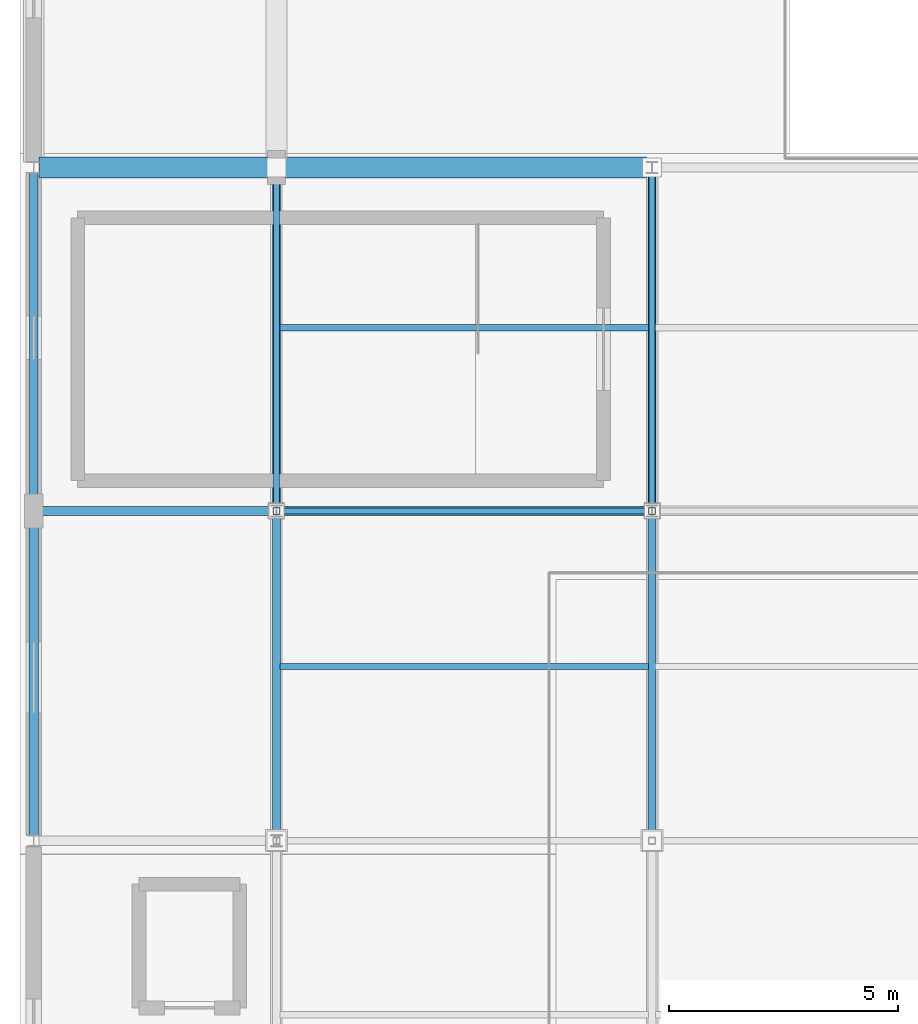
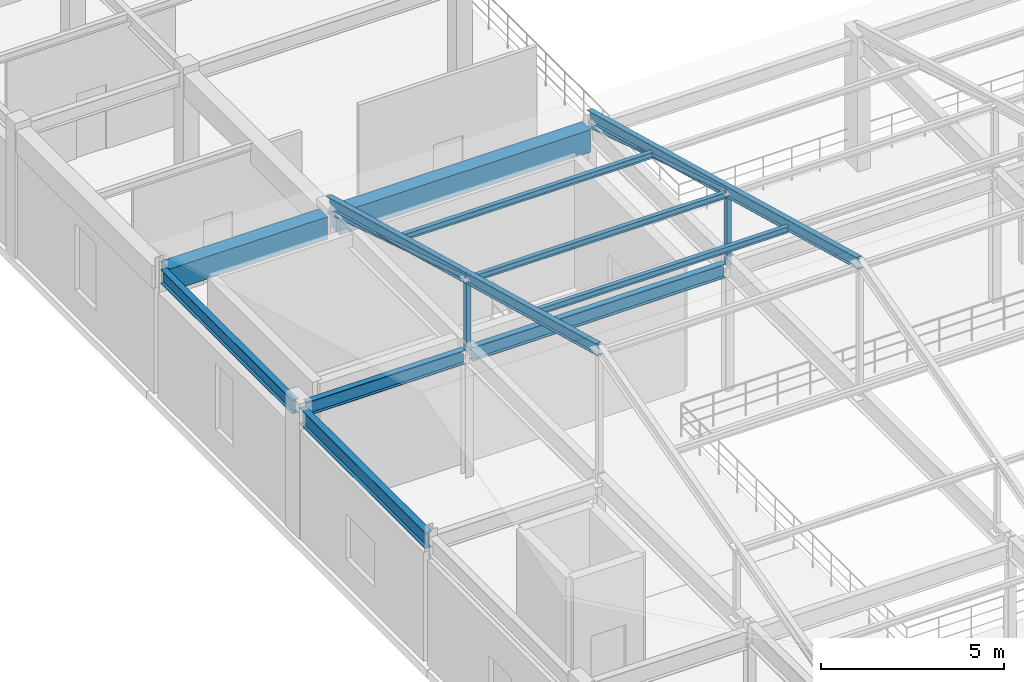
# One storey, part 32 of 112: 9 members, 6 beams.
"""IFC4 building model written with IfcOpenShell, lengths in metres."""

from ifc_helpers import new_model, si_unit, direction, frame, origin, origin_2d, place, context, subcontext, project, spatial, rectangle, hollow_rectangle, hollow_circle, i_section, extrude, material, material_profile, profile_set, type_object, element, save


model = new_model("IFC4")

# Units and contexts
model_context = context("Model", 3, precision=1e-05, world=origin(), true_north=direction((0.0, 1.0)))
body_context = subcontext(model_context, "Body", "Model", "MODEL_VIEW")
ifc_project = project(units=[si_unit("LENGTHUNIT", "METRE"), si_unit("AREAUNIT", "SQUARE_METRE"), si_unit("VOLUMEUNIT", "CUBIC_METRE"), si_unit("PLANEANGLEUNIT", "RADIAN"), si_unit("MASSUNIT", "GRAM", prefix="KILO")], contexts=[model_context])

# Site, building, storey
site_placement = place(None, origin())
site = spatial("IfcSite", under=ifc_project, at=site_placement, CompositionType="ELEMENT")
building_placement = place(site_placement, origin())
building = spatial("IfcBuilding", under=site, at=building_placement, Name="Cinderbank Siding Concert Hall", CompositionType="ELEMENT")
storey_placement = place(building_placement, frame((0.0, 0.0, 10.199951171875)))
storey = spatial("IfcBuildingStorey", under=building, at=storey_placement, Name="L03", CompositionType="ELEMENT", Elevation=10.199951171875)

# Beams
ifc_material_1 = material(Name="Reinforced concrete AS 3600 N50 (50 MPa)", Category="concrete")
ifc_material_profile_1 = material_profile(ifc_material_1, rectangle(XDim=0.449951171875, YDim=0.75, at=origin_2d()), Name="RC-BM-450x750", Category="LoadBearing")
ifc_profile_set_1 = profile_set([ifc_material_profile_1], Name="Reinforced concrete AS 3600 N50 (50 MPa)")
beam_type_1 = type_object("IfcBeamType", Name="BM-RC750 RC-BM-450x750", PredefinedType="BEAM", material=ifc_profile_set_1)
beam_1_placement = place(storey_placement, frame((7.218994140625, 35.5, 3.866943359375), z_axis=(1.0, 0.0, 0.0), x_axis=(0.0, 1.0, 0.0)))
element("IfcBeam", 1, at=beam_1_placement, inside=storey, type_object=beam_type_1, Name="L03 Beam BM-RC750 #1711", PredefinedType="BEAM", context=body_context, shape_type="SweptSolid", body=[
    extrude(rectangle(XDim=0.449951171875, YDim=0.75, at=origin_2d()), origin(), (0.0, 0.0, 1.0), 4.989013671875),
])
beam_2_placement = place(storey_placement, frame((12.592041015625, 35.5, 3.866943359375), z_axis=(1.0, 0.0, 0.0), x_axis=(0.0, 1.0, 0.0)))
element("IfcBeam", 2, at=beam_2_placement, inside=storey, type_object=beam_type_1, Name="L03 Beam BM-RC750 #1716", PredefinedType="BEAM", context=body_context, shape_type="SweptSolid", body=[
    extrude(rectangle(XDim=0.449951171875, YDim=0.75, at=origin_2d()), origin(), (0.0, 0.0, 1.0), 7.888916015625),
])
ifc_material_2 = material(Name="Structural steel AS/NZS 3679.1 Grade 350 (340 MPa)", Category="steel")
ifc_material_profile_2 = material_profile(ifc_material_2, i_section(OverallWidth=0.18994140625, OverallDepth=0.45751953125, WebThickness=0.009033203125, FlangeThickness=0.014404296875, at=origin_2d()), Name="460UB74.6", Category="LoadBearing")
ifc_profile_set_2 = profile_set([ifc_material_profile_2], Name="Structural steel AS/NZS 3679.1 Grade 350 (340 MPa)")
beam_type_2 = type_object("IfcBeamType", Name="BM-UB460 460UB74.6", PredefinedType="BEAM", material=ifc_profile_set_2)
beam_3_placement = place(storey_placement, frame((7.2919921875, 28.0, 4.013427734375), z_axis=(1.0, 0.0, 0.0), x_axis=(0.0, 1.0, 0.0)))
element("IfcBeam", 3, at=beam_3_placement, inside=storey, type_object=beam_type_2, Name="L03 Beam BM-UB460 #1709", PredefinedType="BEAM", context=body_context, shape_type="SweptSolid", body=[
    extrude(i_section(OverallWidth=0.18994140625, OverallDepth=0.45751953125, WebThickness=0.009033203125, FlangeThickness=0.014404296875, at=origin_2d()), origin(), (0.0, 0.0, 1.0), 4.989013671875),
])
beam_4_placement = place(storey_placement, frame((7.10009765625, 28.19189453125, 4.013427734375), z_axis=(0.0, 1.0, 0.0), x_axis=(-1.0, 0.0, 0.0)))
element("IfcBeam", 4, at=beam_4_placement, inside=storey, type_object=beam_type_2, Name="L03 Beam BM-UB460 #1710", PredefinedType="BEAM", context=body_context, shape_type="SweptSolid", body=[
    extrude(i_section(OverallWidth=0.18994140625, OverallDepth=0.45751953125, WebThickness=0.009033203125, FlangeThickness=0.014404296875, at=origin_2d()), origin(), (0.0, 0.0, 1.0), 7.189208984375),
])
beam_5_placement = place(storey_placement, frame((12.51904296875, 28.0, 4.013427734375), z_axis=(1.0, 0.0, 0.0), x_axis=(0.0, 1.0, 0.0)))
element("IfcBeam", 5, at=beam_5_placement, inside=storey, type_object=beam_type_2, Name="L03 Beam BM-UB460 #1715", PredefinedType="BEAM", context=body_context, shape_type="SweptSolid", body=[
    extrude(i_section(OverallWidth=0.18994140625, OverallDepth=0.45751953125, WebThickness=0.009033203125, FlangeThickness=0.014404296875, at=origin_2d()), origin(), (0.0, 0.0, 1.0), 7.9619140625),
])
ifc_material_profile_3 = material_profile(ifc_material_2, i_section(OverallWidth=0.208984375, OverallDepth=0.5283203125, WebThickness=0.009521484375, FlangeThickness=0.01318359375, at=origin_2d()), Name="530UB82.0", Category="LoadBearing")
ifc_profile_set_3 = profile_set([ifc_material_profile_3], Name="Structural steel AS/NZS 3679.1 Grade 350 (340 MPa)")
beam_type_3 = type_object("IfcBeamType", Name="BM-UB530 530UB82.0", PredefinedType="BEAM", material=ifc_profile_set_3)
beam_6_placement = place(storey_placement, frame((7.10009765625, 20.9189453125, 3.97802734375), z_axis=(0.0, 1.0, 0.0), x_axis=(-1.0, 0.0, 0.0)))
element("IfcBeam", 6, at=beam_6_placement, inside=storey, type_object=beam_type_3, Name="L03 Beam BM-UB530 #1708", PredefinedType="BEAM", context=body_context, shape_type="SweptSolid", body=[
    extrude(i_section(OverallWidth=0.208984375, OverallDepth=0.5283203125, WebThickness=0.009521484375, FlangeThickness=0.01318359375, at=origin_2d()), origin(), (0.0, 0.0, 1.0), 6.88916015625),
])

# Members
ifc_material_3 = material(Name="Structural steel hollow section AS/NZS 1163 Grade C350L0 (350 MPa)", Category="steel")
ifc_material_profile_4 = material_profile(ifc_material_3, hollow_circle(Radius=0.06982421875, WallThickness=0.00634765625, at=origin_2d()), Name="139.7x6.4CHS", Category="LoadBearing")
ifc_profile_set_4 = profile_set([ifc_material_profile_4], Name="Structural steel hollow section AS/NZS 1163 Grade C350L0 (350 MPa)")
member_type_1 = type_object("IfcMemberType", Name="BR-CHS139 139.7x6.4CHS Roof Truss", PredefinedType="BRACE", material=ifc_profile_set_4)
for number, where, z_axis, x_axis, name in (
    (7, (12.39990234375, 35.5, 4.199951171875), (0.0, -0.954249763262, 0.299010684282), (1.0, 0.0, 0.0), "L03 Diagonal Brace BR-CHS139 #V2DG-BR-CHS139-L03-2381"),
    (8, (20.60009765625, 35.5, 4.199951171875), (0.0, -0.954249763262, 0.299010684282), (1.0, 0.0, 0.0), "L03 Diagonal Brace BR-CHS139 #V2DG-BR-CHS139-L03-2388"),
):
    element("IfcMember", number, at=place(storey_placement, frame(where, z_axis=z_axis, x_axis=x_axis)), inside=storey, type_object=member_type_1, Name=name, PredefinedType="BRACE", context=body_context, shape_type="SweptSolid", body=[
        extrude(hollow_circle(Radius=0.06982421875, WallThickness=0.00634765625, at=origin_2d()), origin(), (0.0, 0.0, 1.0), 7.859619140625),
    ])
ifc_material_profile_5 = material_profile(ifc_material_3, hollow_rectangle(XDim=0.14990234375, YDim=0.14990234375, WallThickness=0.008056640625, at=origin_2d()), Name="150x150x8.0SHS", Category="LoadBearing")
ifc_profile_set_5 = profile_set([ifc_material_profile_5], Name="Structural steel hollow section AS/NZS 1163 Grade C350L0 (350 MPa)")
member_type_2 = type_object("IfcMemberType", Name="BR-SHS150 150x150x8.0SHS Roof Truss", PredefinedType="BRACE", material=ifc_profile_set_5)
for number, where, z_axis, x_axis, name in (
    (9, (12.39990234375, 28.0, 4.150146484375), (0.0, 0.0, 1.0), (1.0, 0.0, 0.0), "L03 Diagonal Brace BR-SHS150 #V2WB-BR-SHS150-L03-2379"),
    (10, (20.60009765625, 28.0, 4.150146484375), (0.0, 0.0, 1.0), (1.0, 0.0, 0.0), "L03 Diagonal Brace BR-SHS150 #V2WB-BR-SHS150-L03-2386"),
):
    element("IfcMember", number, at=place(storey_placement, frame(where, z_axis=z_axis, x_axis=x_axis)), inside=storey, type_object=member_type_2, Name=name, PredefinedType="BRACE", context=body_context, shape_type="SweptSolid", body=[
        extrude(hollow_rectangle(XDim=0.14990234375, YDim=0.14990234375, WallThickness=0.008056640625, at=origin_2d()), origin(), (0.0, 0.0, 1.0), 2.39990234375),
    ])
ifc_material_profile_6 = material_profile(ifc_material_2, i_section(OverallWidth=0.133056640625, OverallDepth=0.203125, WebThickness=0.005859375, FlangeThickness=0.0078125, at=origin_2d()), Name="200UB25.4", Category="LoadBearing")
ifc_profile_set_6 = profile_set([ifc_material_profile_6], Name="Structural steel AS/NZS 3679.1 Grade 350 (340 MPa)")
member_type_3 = type_object("IfcMemberType", Name="PR-UB200 200UB25.4 Roof Truss", PredefinedType="PURLIN", material=ifc_profile_set_6)
for number, where, z_axis, x_axis, name in (
    (11, (12.47998046875, 24.60009765625, 7.416015625), (1.0, 0.0, 0.0), (0.0, 1.0, 0.0), "L03 Roof Truss Member PR-UB200 #2414"),
    (12, (12.47998046875, 28.0, 6.490966796875), (1.0, 0.0, 0.0), (0.0, 1.0, 0.0), "L03 Roof Truss Member PR-UB200 #2415"),
    (13, (12.47998046875, 32.0, 5.40234375), (1.0, 0.0, 0.0), (0.0, 1.0, 0.0), "L03 Roof Truss Member PR-UB200 #2416"),
):
    element("IfcMember", number, at=place(storey_placement, frame(where, z_axis=z_axis, x_axis=x_axis)), inside=storey, type_object=member_type_3, Name=name, PredefinedType="PURLIN", context=body_context, shape_type="SweptSolid", body=[
        extrude(i_section(OverallWidth=0.133056640625, OverallDepth=0.203125, WebThickness=0.005859375, FlangeThickness=0.0078125, at=origin_2d()), origin(), (0.0, 0.0, 1.0), 8.0400390625),
    ])
ifc_material_profile_7 = material_profile(ifc_material_2, i_section(OverallWidth=0.172119140625, OverallDepth=0.358642578125, WebThickness=0.008056640625, FlangeThickness=0.012939453125, at=origin_2d()), Name="360UB56.7", Category="LoadBearing")
ifc_profile_set_7 = profile_set([ifc_material_profile_7], Name="Structural steel AS/NZS 3679.1 Grade 350 (340 MPa)")
member_type_4 = type_object("IfcMemberType", Name="TR-UB360 360UB56.7 Roof Truss", PredefinedType="RAFTER", material=ifc_profile_set_7)
for number, where, z_axis, x_axis, name in (
    (14, (12.39990234375, 35.5, 4.550048828125), (0.0, -0.964914918446, 0.26256275471), (1.0, 0.0, 0.0), "L03 Roof Truss Member TR-UB360 #2376"),
    (15, (20.60009765625, 35.5, 4.550048828125), (0.0, -0.964914918446, 0.26256275471), (1.0, 0.0, 0.0), "L03 Roof Truss Member TR-UB360 #2383"),
):
    element("IfcMember", number, at=place(storey_placement, frame(where, z_axis=z_axis, x_axis=x_axis)), inside=storey, type_object=member_type_4, Name=name, PredefinedType="RAFTER", context=body_context, shape_type="SweptSolid", body=[
        extrude(i_section(OverallWidth=0.172119140625, OverallDepth=0.358642578125, WebThickness=0.008056640625, FlangeThickness=0.012939453125, at=origin_2d()), origin(), (0.0, 0.0, 1.0), 15.234375),
    ])

save(model, "model.ifc")
